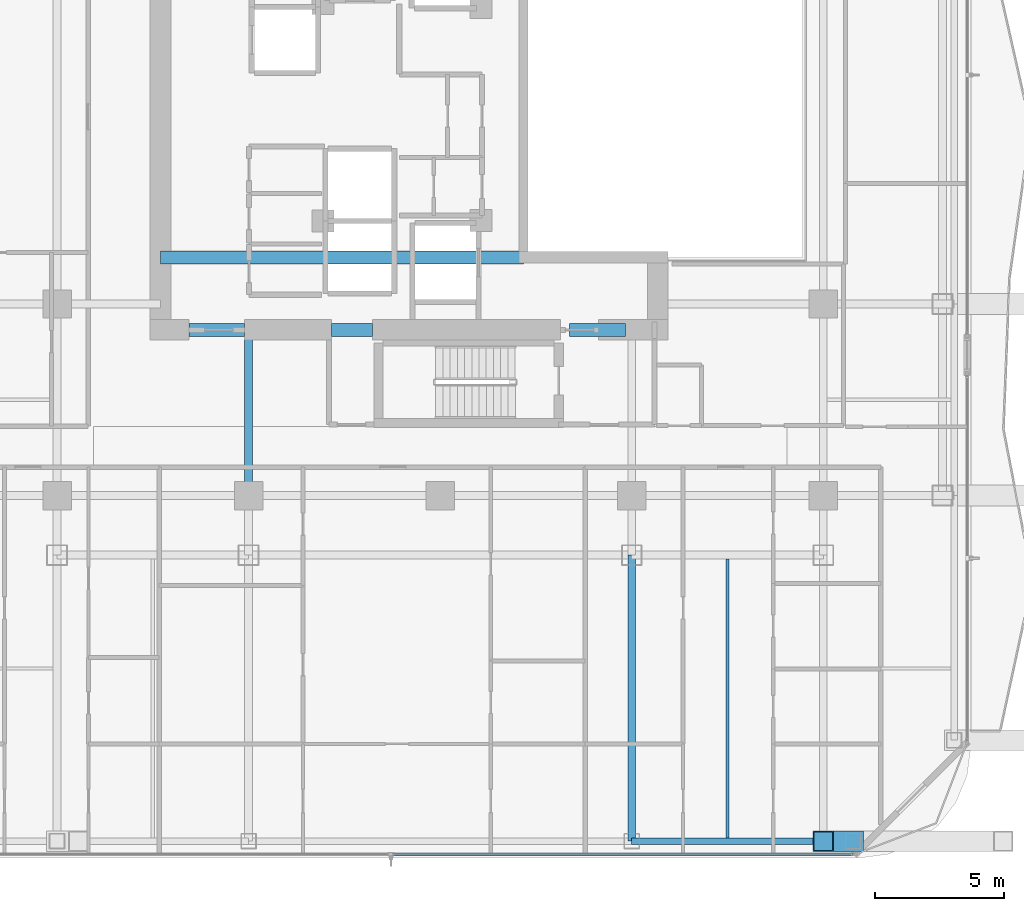
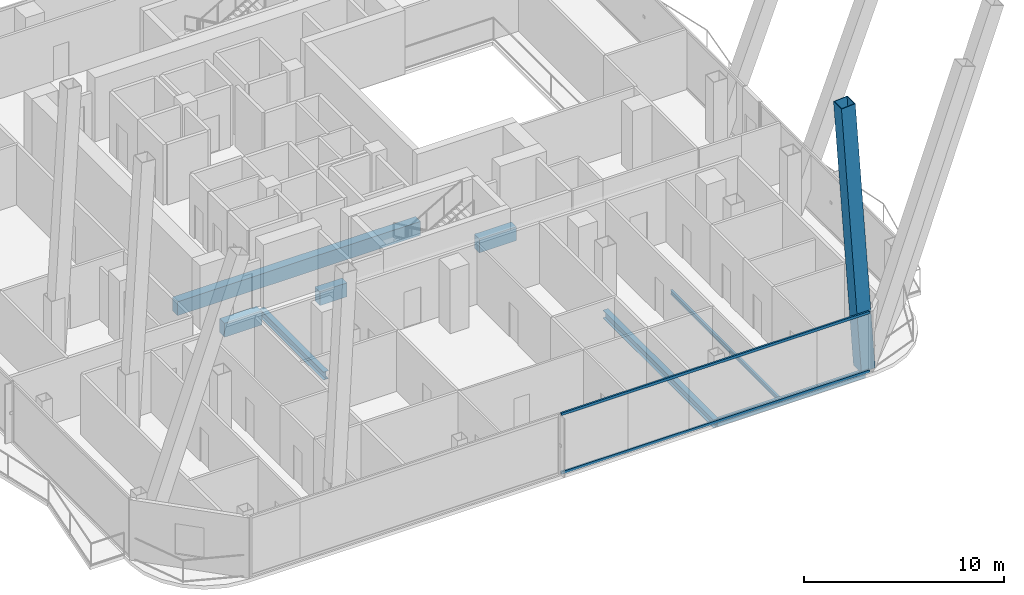
# One storey, part 8 of 27: 8 beams, 3 members, 1 element without a shape of its own.
"""IFC4 building model written with IfcOpenShell, lengths in metres."""

import ifcopenshell
import ifcopenshell.guid

model = None  # the IFC model being written
_history = None  # IfcOwnerHistory: only IFC2X3 demands one
_inside = {}  # id of a spatial element -> (the spatial element, [elements in it])
_under = {}  # id of a project, library or spatial element -> (it, [spatial elements below it])
_declared = {}  # id of a project -> (the project, [libraries it declares])
_typed = {}  # id of a type object -> (the type object, [elements of that type])
_made_of = {}  # id of a material, layer set ... -> (it, [elements and type objects made of it])


def new_model(schema):
    """Start an empty IFC model of exactly this schema.

    Asked for "IFC4X3", IfcOpenShell would pick the latest addendum, in which some entities
    have other attributes; the version numbers below select the first issue.
    IFC2X3 requires an IfcOwnerHistory on every rooted entity: one is made here for all.
    """
    global model, _history
    if schema == "IFC4X3":
        model = ifcopenshell.file(schema_version=(4, 3, 0, 0))
    else:
        model = ifcopenshell.file(schema=schema)
    _inside.clear()
    _under.clear()
    _declared.clear()
    _typed.clear()
    _made_of.clear()
    _history = None
    if model.schema == "IFC2X3":
        org = make("IfcOrganization", Name="unknown")
        user = make(
            "IfcPersonAndOrganization",
            ThePerson=make("IfcPerson", FamilyName="unknown"),
            TheOrganization=org,
        )
        app = make(
            "IfcApplication",
            ApplicationDeveloper=org,
            Version="unknown",
            ApplicationFullName="unknown",
            ApplicationIdentifier="unknown",
        )
        _history = make(
            "IfcOwnerHistory",
            OwningUser=user,
            OwningApplication=app,
            ChangeAction="ADDED",
            CreationDate=0,
        )
    return model


def make(cls, **values):
    """One entity of the class cls with the attributes given. An attribute that is None is left unset."""
    return model.create_entity(
        cls, **{name: value for name, value in values.items() if value is not None}
    )


def rooted(cls, **values):
    """An entity with a GlobalId (a new one), such as an element, a storey or a relation."""
    return make(cls, GlobalId=ifcopenshell.guid.new(), OwnerHistory=_history, **values)


def si_unit(unit_type, name, prefix=None):
    """IfcSIUnit, for example si_unit("LENGTHUNIT", "METRE", prefix="MILLI")."""
    return make("IfcSIUnit", UnitType=unit_type, Prefix=prefix, Name=name)


def assignment(units):
    """IfcUnitAssignment: the units of a project."""
    return None if units is None else make("IfcUnitAssignment", Units=units)


def point(xyz):
    """IfcCartesianPoint."""
    return None if xyz is None else make("IfcCartesianPoint", Coordinates=xyz)


def direction(xyz):
    """IfcDirection."""
    return None if xyz is None else make("IfcDirection", DirectionRatios=xyz)


def frame(location, z_axis=None, x_axis=None):
    """IfcAxis2Placement3D, a coordinate frame: its origin and axes. An axis left out is left unset."""
    return make(
        "IfcAxis2Placement3D",
        Location=point(location),
        Axis=direction(z_axis),
        RefDirection=direction(x_axis),
    )


def frame_2d(location, x_axis=None):
    """IfcAxis2Placement2D, a coordinate frame in the plane: its origin and x axis."""
    return make(
        "IfcAxis2Placement2D", Location=point(location), RefDirection=direction(x_axis)
    )


def origin():
    """The frame at (0, 0, 0) with its axes left unset."""
    return frame((0.0, 0.0, 0.0))


def origin_2d():
    """The frame at (0, 0) in the plane with its x axis left unset."""
    return frame_2d((0.0, 0.0))


def place(relative_to, where):
    """IfcLocalPlacement: puts the frame where relative to a parent placement (None: the world)."""
    return make(
        "IfcLocalPlacement", PlacementRelTo=relative_to, RelativePlacement=where
    )


def context(
    kind, dimensions, precision=None, world=None, true_north=None, identifier=None
):
    """IfcGeometricRepresentationContext, for example the 3D "Model" context."""
    return make(
        "IfcGeometricRepresentationContext",
        ContextIdentifier=identifier,
        ContextType=kind,
        CoordinateSpaceDimension=dimensions,
        Precision=precision,
        WorldCoordinateSystem=world,
        TrueNorth=true_north,
    )


def subcontext(parent, identifier, kind, view, scale=None):
    """IfcGeometricRepresentationSubContext, for example "Body" below "Model"."""
    return make(
        "IfcGeometricRepresentationSubContext",
        ContextIdentifier=identifier,
        ContextType=kind,
        ParentContext=parent,
        TargetScale=scale,
        TargetView=view,
    )


def project(units=None, contexts=None):
    """IfcProject with its units and contexts."""
    return rooted(
        "IfcProject",
        Name="project",
        RepresentationContexts=contexts,
        UnitsInContext=assignment(units),
    )


def spatial(cls, under=None, at=None, **own):
    """A site, building, storey or space (cls), placed at a placement, below another one or the project."""
    s = rooted(cls, ObjectPlacement=at, **own)
    if under is not None:
        _under.setdefault(under.id(), (under, []))[1].append(s)
    return s


def profile(cls, at=None, kind="AREA", **sizes):
    """A parametric profile (cls). Its sizes go by their IFC names, for example OverallWidth=200.0."""
    return make(cls, ProfileType=kind, Position=at, **sizes)


def rectangle(**sizes):
    """IfcRectangleProfileDef."""
    return profile("IfcRectangleProfileDef", **sizes)


def hollow_rectangle(**sizes):
    """IfcRectangleHollowProfileDef."""
    return profile("IfcRectangleHollowProfileDef", **sizes)


def i_section(**sizes):
    """IfcIShapeProfileDef."""
    return profile("IfcIShapeProfileDef", **sizes)


def extrude(swept, where, along, depth):
    """IfcExtrudedAreaSolid: the profile swept, set in the frame where, extruded along a direction by depth."""
    return make(
        "IfcExtrudedAreaSolid",
        SweptArea=swept,
        Position=where,
        ExtrudedDirection=direction(along),
        Depth=depth,
    )


def shape(context_of_items, identifier, shape_type, items):
    """IfcShapeRepresentation: the items that make up one representation, for example the "Body"."""
    return make(
        "IfcShapeRepresentation",
        ContextOfItems=context_of_items,
        RepresentationIdentifier=identifier,
        RepresentationType=shape_type,
        Items=items,
    )


def material(Name=None, Category=None):
    """IfcMaterial."""
    return make("IfcMaterial", Name=Name, Category=Category)


def layer(
    of_material, thickness, ventilated=None, Name=None, Category=None, Priority=None
):
    """IfcMaterialLayer: one layer of a wall or slab, of a material (None: an air gap)."""
    return make(
        "IfcMaterialLayer",
        Material=of_material,
        LayerThickness=thickness,
        IsVentilated=ventilated,
        Name=Name,
        Category=Category,
        Priority=Priority,
    )


def layer_set(layers, Name=None):
    """IfcMaterialLayerSet."""
    return make("IfcMaterialLayerSet", MaterialLayers=layers, LayerSetName=Name)


def material_profile(
    of_material, cross_section, Name=None, Category=None, Priority=None
):
    """IfcMaterialProfile: a cross section and its material."""
    return make(
        "IfcMaterialProfile",
        Name=Name,
        Material=of_material,
        Profile=cross_section,
        Priority=Priority,
        Category=Category,
    )


def profile_set(profiles, Name=None, composite=None):
    """IfcMaterialProfileSet."""
    return make(
        "IfcMaterialProfileSet",
        Name=Name,
        MaterialProfiles=profiles,
        CompositeProfile=composite,
    )


def made_of(thing, what):
    """Note that an element or type object is made of a material, layer set ...; save() writes the relation."""
    if what is not None:
        _made_of.setdefault(what.id(), (what, []))[1].append(thing)
    return thing


def type_object(cls, material=None, **own):
    """A type object (cls), such as IfcWallType, which elements share."""
    return made_of(rooted(cls, **own), material)


def element(
    cls,
    number,
    at=None,
    inside=None,
    cuts=None,
    type_object=None,
    material=None,
    context=None,
    identifier="Body",
    shape_type=None,
    held_by="IfcProductDefinitionShape",
    body=None,
    shapes=None,
    **own,
):
    """One element of the class cls, such as IfcWall. Its Tag is "e" and its number.

    at: its placement. inside: the storey or other place that contains it. cuts: it is an
    opening in that element (IfcRelVoidsElement). A single representation is given by context,
    identifier, shape_type and body (its items); several are given by shapes. held_by: the class
    of the entity that holds the representations. save() writes the other relations.
    """
    e = rooted(cls, Tag="e%d" % number, ObjectPlacement=at, **own)
    if body is not None:
        shapes = [shape(context, identifier, shape_type, body)]
    if shapes is not None:
        e.Representation = make(held_by, Representations=shapes)
    if inside is not None:
        _inside.setdefault(inside.id(), (inside, []))[1].append(e)
    if cuts is not None:
        rooted(
            "IfcRelVoidsElement", RelatingBuildingElement=cuts, RelatedOpeningElement=e
        )
    if type_object is not None:
        _typed.setdefault(type_object.id(), (type_object, []))[1].append(e)
    return made_of(e, material)


def aggregate(whole, parts):
    """IfcRelAggregates: a whole, such as a stair, and the parts it consists of."""
    return rooted("IfcRelAggregates", RelatingObject=whole, RelatedObjects=parts)


def save(model, path):
    """Write the relations noted so far, then the file.

    IfcRelAggregates (storeys below a building ...), IfcRelContainedInSpatialStructure (elements
    in a storey), IfcRelDefinesByType, IfcRelAssociatesMaterial and IfcRelDeclares: one each for
    every whole, place, type object, material and project.
    """
    for whole, parts in _under.values():
        aggregate(whole, parts)
    for where, things in _inside.values():
        rooted(
            "IfcRelContainedInSpatialStructure",
            RelatedElements=things,
            RelatingStructure=where,
        )
    for kind, things in _typed.values():
        rooted("IfcRelDefinesByType", RelatedObjects=things, RelatingType=kind)
    for what, things in _made_of.values():
        rooted("IfcRelAssociatesMaterial", RelatedObjects=things, RelatingMaterial=what)
    for by, libraries in _declared.values():
        rooted("IfcRelDeclares", RelatingContext=by, RelatedDefinitions=libraries)
    model.write(path)


model = new_model("IFC4")

# Units and contexts
model_context = context("Model", 3, precision=1e-05, world=origin(), true_north=direction((0.0, 1.0)))
body_context = subcontext(model_context, "Body", "Model", "MODEL_VIEW")
ifc_project = project(units=[si_unit("LENGTHUNIT", "METRE"), si_unit("AREAUNIT", "SQUARE_METRE"), si_unit("VOLUMEUNIT", "CUBIC_METRE"), si_unit("PLANEANGLEUNIT", "RADIAN"), si_unit("MASSUNIT", "GRAM", prefix="KILO")], contexts=[model_context])

# Site, building, storey
site_placement = place(None, origin())
site = spatial("IfcSite", under=ifc_project, at=site_placement, CompositionType="ELEMENT")
building_placement = place(site_placement, origin())
building = spatial("IfcBuilding", under=site, at=building_placement, Name="Khorvyn Point Tower", CompositionType="ELEMENT")
storey_placement = place(building_placement, frame((0.0, 0.0, 203.10009765625)))
storey = spatial("IfcBuildingStorey", under=building, at=storey_placement, Name="L50", CompositionType="ELEMENT", Elevation=203.10009765625)

# Curtain wall, members
ifc_material_1 = material(Name="Anodised aluminium 6063-T6 and laminated Low-E glass", Category="aluminium")
ifc_layer = layer(ifc_material_1, 0.18994140625)
ifc_layer_set = layer_set([ifc_layer], Name="Stick-Built Acoustic Curtain Wall CW-SYS-03")
curtain_wall_type = type_object("IfcCurtainWallType", Name="Stick-Built Acoustic Curtain Wall CW-SYS-03", PredefinedType="NOTDEFINED", material=ifc_layer_set)
curtain_wall_placement = place(storey_placement, origin())
curtain_wall = element("IfcCurtainWall", 1, at=curtain_wall_placement, inside=storey, type_object=curtain_wall_type, Name="Curtain Wall", PredefinedType="NOTDEFINED")
ifc_material_2 = material(Name="Anodised aluminium 6063-T6", Category="aluminium")
ifc_material_profile_1 = material_profile(ifc_material_2, hollow_rectangle(XDim=0.10009765625, YDim=0.159912109375, WallThickness=0.00439453125, at=origin_2d()))
ifc_profile_set_1 = profile_set([ifc_material_profile_1], Name="Anodised aluminium 6063-T6 ALU-TRN-100x160")
member_type_1 = type_object("IfcMemberType", Name="Anodised Aluminium 6063-T6 Transom ALU-TRN-100x160", PredefinedType="USERDEFINED", material=ifc_profile_set_1)
member_1_placement = place(storey_placement, frame((15.949951171875, -28.64990234375, 0.0498046875), z_axis=(-1.0, 0.0, 0.0), x_axis=(0.0, -1.0, 0.0)))
member_1 = element("IfcMember", 2, at=member_1_placement, type_object=member_type_1, Name="Transom", ObjectType="TRANSOM", PredefinedType="USERDEFINED", context=body_context, shape_type="SweptSolid", body=[
    extrude(hollow_rectangle(XDim=0.10009765625, YDim=0.159912109375, WallThickness=0.00439453125, at=origin_2d()), origin(), (0.0, 0.0, 1.0), 17.800048828125),
])
member_2_placement = place(storey_placement, frame((15.949951171875, -28.64990234375, 3.6298828125), z_axis=(-1.0, 0.0, 0.0), x_axis=(0.0, -1.0, 0.0)))
member_2 = element("IfcMember", 3, at=member_2_placement, type_object=member_type_1, Name="Transom", ObjectType="TRANSOM", PredefinedType="USERDEFINED", context=body_context, shape_type="SweptSolid", body=[
    extrude(hollow_rectangle(XDim=0.10009765625, YDim=0.159912109375, WallThickness=0.00439453125, at=origin_2d()), origin(), (0.0, 0.0, 1.0), 17.800048828125),
])
aggregate(curtain_wall, [member_1, member_2])

# Beams
ifc_material_3 = material(Name="Concrete C45/55", Category="concrete")
ifc_material_profile_2 = material_profile(ifc_material_3, rectangle(XDim=0.5, YDim=0.85009765625, at=origin_2d()))
ifc_profile_set_2 = profile_set([ifc_material_profile_2], Name="Concrete C45/55 RC500x850")
beam_type_1 = type_object("IfcBeamType", Name="Concrete C45/55 Beam RC500x850", PredefinedType="BEAM", material=ifc_profile_set_2)
beam_1_placement = place(storey_placement, frame((-10.800048828125, -5.60009765625, -0.64501953125), z_axis=(1.0, 0.0, 0.0), x_axis=(0.0, 1.0, 0.0)))
element("IfcBeam", 4, at=beam_1_placement, inside=storey, type_object=beam_type_1, Name="L50 Core Internal Tie Girder S", PredefinedType="BEAM", context=body_context, shape_type="SweptSolid", body=[
    extrude(rectangle(XDim=0.5, YDim=0.85009765625, at=origin_2d()), origin(), (0.0, 0.0, 1.0), 14.02001953125),
])
beam_2_placement = place(storey_placement, frame((-9.699951171875, -8.39990234375, -0.64501953125), z_axis=(1.0, 0.0, 0.0), x_axis=(0.0, 1.0, 0.0)))
element("IfcBeam", 5, at=beam_2_placement, inside=storey, type_object=beam_type_1, Name="L50 Core Southwest Portal Coupling Beam", PredefinedType="BEAM", context=body_context, shape_type="SweptSolid", body=[
    extrude(rectangle(XDim=0.5, YDim=0.85009765625, at=origin_2d()), origin(), (0.0, 0.0, 1.0), 2.14990234375),
])
beam_3_placement = place(storey_placement, frame((-4.199951171875, -8.39990234375, -0.64501953125), z_axis=(1.0, 0.0, 0.0), x_axis=(0.0, 1.0, 0.0)))
element("IfcBeam", 6, at=beam_3_placement, inside=storey, type_object=beam_type_1, Name="L50 Core Shuttle Portal Coupling Beam", PredefinedType="BEAM", context=body_context, shape_type="SweptSolid", body=[
    extrude(rectangle(XDim=0.5, YDim=0.85009765625, at=origin_2d()), origin(), (0.0, 0.0, 1.0), 1.579833984375),
])
beam_4_placement = place(storey_placement, frame((5.0, -8.39990234375, -0.64501953125), z_axis=(1.0, 0.0, 0.0), x_axis=(0.0, 1.0, 0.0)))
element("IfcBeam", 7, at=beam_4_placement, inside=storey, type_object=beam_type_1, Name="L50 Core Southeast Portal Coupling Beam", PredefinedType="BEAM", context=body_context, shape_type="SweptSolid", body=[
    extrude(rectangle(XDim=0.5, YDim=0.85009765625, at=origin_2d()), origin(), (0.0, 0.0, 1.0), 2.14990234375),
])
ifc_material_4 = material(Name="Steel S355", Category="steel")
ifc_material_profile_3 = material_profile(ifc_material_4, i_section(OverallWidth=0.125, OverallDepth=0.25, WebThickness=0.006103515625, FlangeThickness=0.009033203125, at=origin_2d()))
ifc_profile_set_3 = profile_set([ifc_material_profile_3], Name="Steel S355 H250x125x6x9")
beam_type_2 = type_object("IfcBeamType", Name="Steel S355 Joist H250x125x6x9", PredefinedType="JOIST", material=ifc_profile_set_3)
beam_5_placement = place(storey_placement, frame((11.10009765625, -28.02490234375, -0.34521484375), z_axis=(0.0, 1.0, 0.0), x_axis=(-1.0, 0.0, 0.0)))
element("IfcBeam", 8, at=beam_5_placement, inside=storey, type_object=beam_type_2, Name="Beam", PredefinedType="JOIST", context=body_context, shape_type="SweptSolid", body=[
    extrude(i_section(OverallWidth=0.125, OverallDepth=0.25, WebThickness=0.006103515625, FlangeThickness=0.009033203125, at=origin_2d()), origin(), (0.0, 0.0, 1.0), 10.77490234375),
])
ifc_material_profile_4 = material_profile(ifc_material_4, i_section(OverallWidth=0.300048828125, OverallDepth=0.488037109375, WebThickness=0.010986328125, FlangeThickness=0.01806640625, at=origin_2d()))
ifc_profile_set_4 = profile_set([ifc_material_profile_4], Name="Steel S355 H488x300x11x18")
beam_type_3 = type_object("IfcBeamType", Name="Steel S355 Spandrel H488x300x11x18", PredefinedType="SPANDREL", material=ifc_profile_set_4)
beam_6_placement = place(storey_placement, frame((-7.39990234375, -14.800048828125, -0.464111328125), z_axis=(0.0, 1.0, 0.0), x_axis=(-1.0, 0.0, 0.0)))
element("IfcBeam", 9, at=beam_6_placement, inside=storey, type_object=beam_type_3, Name="Beam", PredefinedType="SPANDREL", context=body_context, shape_type="SweptSolid", body=[
    extrude(i_section(OverallWidth=0.300048828125, OverallDepth=0.488037109375, WebThickness=0.010986328125, FlangeThickness=0.01806640625, at=origin_2d()), origin(), (0.0, 0.0, 1.0), 6.400146484375),
])
beam_7_placement = place(storey_placement, frame((7.39990234375, -28.14990234375, -0.464111328125), z_axis=(0.0, 1.0, 0.0), x_axis=(-1.0, 0.0, 0.0)))
element("IfcBeam", 10, at=beam_7_placement, inside=storey, type_object=beam_type_3, Name="Beam", PredefinedType="SPANDREL", context=body_context, shape_type="SweptSolid", body=[
    extrude(i_section(OverallWidth=0.300048828125, OverallDepth=0.488037109375, WebThickness=0.010986328125, FlangeThickness=0.01806640625, at=origin_2d()), origin(), (0.0, 0.0, 1.0), 11.0498046875),
])
ifc_material_profile_5 = material_profile(ifc_material_4, hollow_rectangle(XDim=0.25, YDim=0.39990234375, WallThickness=0.01611328125, at=origin_2d()))
ifc_profile_set_5 = profile_set([ifc_material_profile_5], Name="Steel S355 RHS400x250x16")
beam_type_4 = type_object("IfcBeamType", Name="Steel S355 Spandrel RHS400x250x16", PredefinedType="SPANDREL", material=ifc_profile_set_5)
beam_8_placement = place(storey_placement, frame((7.39990234375, -28.14990234375, -0.420166015625), z_axis=(1.0, 0.0, 0.0), x_axis=(0.0, 1.0, 0.0)))
element("IfcBeam", 11, at=beam_8_placement, inside=storey, type_object=beam_type_4, Name="Beam", PredefinedType="SPANDREL", context=body_context, shape_type="SweptSolid", body=[
    extrude(hollow_rectangle(XDim=0.25, YDim=0.39990234375, WallThickness=0.01611328125, at=origin_2d()), origin(), (0.0, 0.0, 1.0), 8.550048828125),
])

# Member
ifc_material_5 = material(Name="Steel S450", Category="steel")
ifc_material_profile_6 = material_profile(ifc_material_5, hollow_rectangle(XDim=0.800048828125, YDim=0.800048828125, WallThickness=0.035888671875, at=origin_2d()))
ifc_profile_set_6 = profile_set([ifc_material_profile_6], Name="Steel S450 BOX800x800x36")
member_type_2 = type_object("IfcMemberType", Name="Steel S450 Exoskeleton Structural Post BOX800x800x36", PredefinedType="POST", material=ifc_profile_set_6)
member_3_placement = place(storey_placement, frame((15.949951171875, -28.14990234375, 0.0), z_axis=(-0.069522425895, 0.0, 0.99758038889), x_axis=(0.0, -1.0, 0.0)))
element("IfcMember", 12, at=member_3_placement, inside=storey, type_object=member_type_2, Name="L50 to L54 Exoskeleton Transfer Post 08", PredefinedType="POST", context=body_context, shape_type="SweptSolid", body=[
    extrude(hollow_rectangle(XDim=0.800048828125, YDim=0.800048828125, WallThickness=0.035888671875, at=origin_2d()), origin(), (0.0, 0.0, 1.0), 16.5400390625),
])

save(model, "model.ifc")
